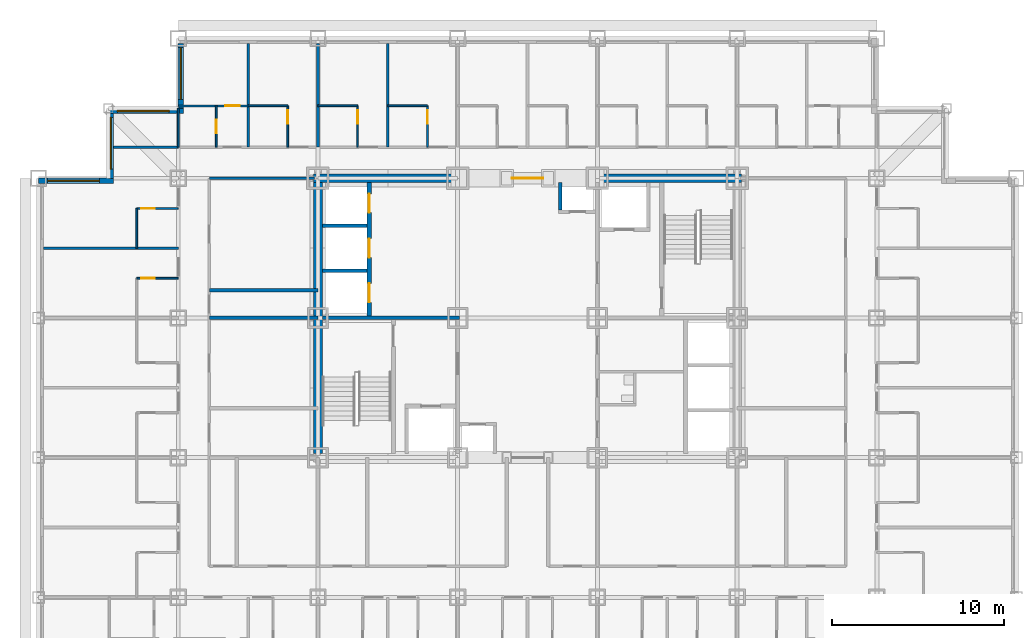
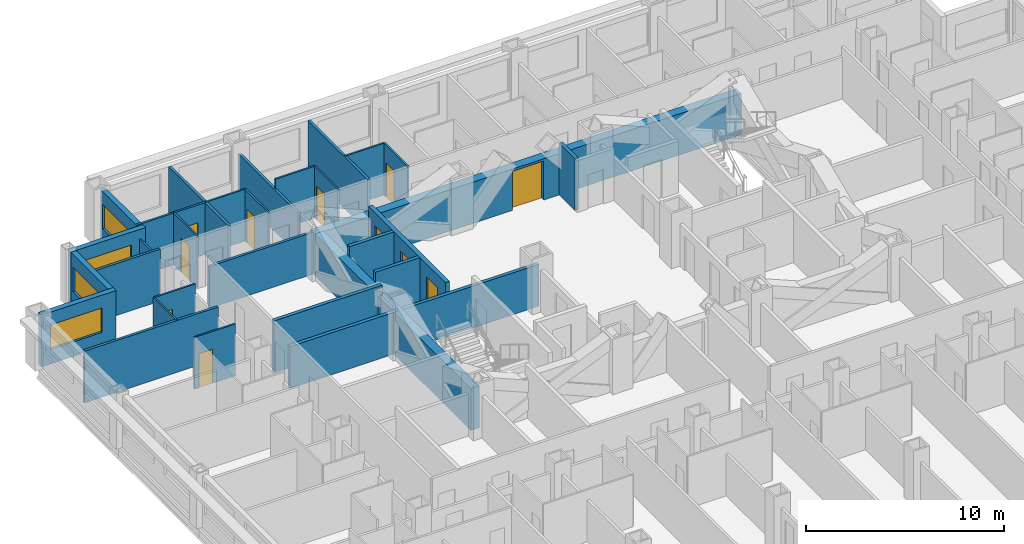
# One storey, part 8 of 13: 31 walls, 11 doors, 4 windows, 15 openings.
"""IFC4 building model written with IfcOpenShell, lengths in metres."""

import ifcopenshell
import ifcopenshell.guid

model = None  # the IFC model being written
_history = None  # IfcOwnerHistory: only IFC2X3 demands one
_inside = {}  # id of a spatial element -> (the spatial element, [elements in it])
_under = {}  # id of a project, library or spatial element -> (it, [spatial elements below it])
_declared = {}  # id of a project -> (the project, [libraries it declares])
_typed = {}  # id of a type object -> (the type object, [elements of that type])
_made_of = {}  # id of a material, layer set ... -> (it, [elements and type objects made of it])


def new_model(schema):
    """Start an empty IFC model of exactly this schema.

    Asked for "IFC4X3", IfcOpenShell would pick the latest addendum, in which some entities
    have other attributes; the version numbers below select the first issue.
    IFC2X3 requires an IfcOwnerHistory on every rooted entity: one is made here for all.
    """
    global model, _history
    if schema == "IFC4X3":
        model = ifcopenshell.file(schema_version=(4, 3, 0, 0))
    else:
        model = ifcopenshell.file(schema=schema)
    _inside.clear()
    _under.clear()
    _declared.clear()
    _typed.clear()
    _made_of.clear()
    _history = None
    if model.schema == "IFC2X3":
        org = make("IfcOrganization", Name="unknown")
        user = make(
            "IfcPersonAndOrganization",
            ThePerson=make("IfcPerson", FamilyName="unknown"),
            TheOrganization=org,
        )
        app = make(
            "IfcApplication",
            ApplicationDeveloper=org,
            Version="unknown",
            ApplicationFullName="unknown",
            ApplicationIdentifier="unknown",
        )
        _history = make(
            "IfcOwnerHistory",
            OwningUser=user,
            OwningApplication=app,
            ChangeAction="ADDED",
            CreationDate=0,
        )
    return model


def make(cls, **values):
    """One entity of the class cls with the attributes given. An attribute that is None is left unset."""
    return model.create_entity(
        cls, **{name: value for name, value in values.items() if value is not None}
    )


def rooted(cls, **values):
    """An entity with a GlobalId (a new one), such as an element, a storey or a relation."""
    return make(cls, GlobalId=ifcopenshell.guid.new(), OwnerHistory=_history, **values)


def si_unit(unit_type, name, prefix=None):
    """IfcSIUnit, for example si_unit("LENGTHUNIT", "METRE", prefix="MILLI")."""
    return make("IfcSIUnit", UnitType=unit_type, Prefix=prefix, Name=name)


def assignment(units):
    """IfcUnitAssignment: the units of a project."""
    return None if units is None else make("IfcUnitAssignment", Units=units)


def point(xyz):
    """IfcCartesianPoint."""
    return None if xyz is None else make("IfcCartesianPoint", Coordinates=xyz)


def direction(xyz):
    """IfcDirection."""
    return None if xyz is None else make("IfcDirection", DirectionRatios=xyz)


def frame(location, z_axis=None, x_axis=None):
    """IfcAxis2Placement3D, a coordinate frame: its origin and axes. An axis left out is left unset."""
    return make(
        "IfcAxis2Placement3D",
        Location=point(location),
        Axis=direction(z_axis),
        RefDirection=direction(x_axis),
    )


def frame_2d(location, x_axis=None):
    """IfcAxis2Placement2D, a coordinate frame in the plane: its origin and x axis."""
    return make(
        "IfcAxis2Placement2D", Location=point(location), RefDirection=direction(x_axis)
    )


def origin():
    """The frame at (0, 0, 0) with its axes left unset."""
    return frame((0.0, 0.0, 0.0))


def place(relative_to, where):
    """IfcLocalPlacement: puts the frame where relative to a parent placement (None: the world)."""
    return make(
        "IfcLocalPlacement", PlacementRelTo=relative_to, RelativePlacement=where
    )


def context(
    kind, dimensions, precision=None, world=None, true_north=None, identifier=None
):
    """IfcGeometricRepresentationContext, for example the 3D "Model" context."""
    return make(
        "IfcGeometricRepresentationContext",
        ContextIdentifier=identifier,
        ContextType=kind,
        CoordinateSpaceDimension=dimensions,
        Precision=precision,
        WorldCoordinateSystem=world,
        TrueNorth=true_north,
    )


def subcontext(parent, identifier, kind, view, scale=None):
    """IfcGeometricRepresentationSubContext, for example "Body" below "Model"."""
    return make(
        "IfcGeometricRepresentationSubContext",
        ContextIdentifier=identifier,
        ContextType=kind,
        ParentContext=parent,
        TargetScale=scale,
        TargetView=view,
    )


def project(units=None, contexts=None):
    """IfcProject with its units and contexts."""
    return rooted(
        "IfcProject",
        Name="project",
        RepresentationContexts=contexts,
        UnitsInContext=assignment(units),
    )


def spatial(cls, under=None, at=None, **own):
    """A site, building, storey or space (cls), placed at a placement, below another one or the project."""
    s = rooted(cls, ObjectPlacement=at, **own)
    if under is not None:
        _under.setdefault(under.id(), (under, []))[1].append(s)
    return s


def profile(cls, at=None, kind="AREA", **sizes):
    """A parametric profile (cls). Its sizes go by their IFC names, for example OverallWidth=200.0."""
    return make(cls, ProfileType=kind, Position=at, **sizes)


def rectangle(**sizes):
    """IfcRectangleProfileDef."""
    return profile("IfcRectangleProfileDef", **sizes)


def extrude(swept, where, along, depth):
    """IfcExtrudedAreaSolid: the profile swept, set in the frame where, extruded along a direction by depth."""
    return make(
        "IfcExtrudedAreaSolid",
        SweptArea=swept,
        Position=where,
        ExtrudedDirection=direction(along),
        Depth=depth,
    )


def shape(context_of_items, identifier, shape_type, items):
    """IfcShapeRepresentation: the items that make up one representation, for example the "Body"."""
    return make(
        "IfcShapeRepresentation",
        ContextOfItems=context_of_items,
        RepresentationIdentifier=identifier,
        RepresentationType=shape_type,
        Items=items,
    )


def material(Name=None, Category=None):
    """IfcMaterial."""
    return make("IfcMaterial", Name=Name, Category=Category)


def layer(
    of_material, thickness, ventilated=None, Name=None, Category=None, Priority=None
):
    """IfcMaterialLayer: one layer of a wall or slab, of a material (None: an air gap)."""
    return make(
        "IfcMaterialLayer",
        Material=of_material,
        LayerThickness=thickness,
        IsVentilated=ventilated,
        Name=Name,
        Category=Category,
        Priority=Priority,
    )


def layer_set(layers, Name=None):
    """IfcMaterialLayerSet."""
    return make("IfcMaterialLayerSet", MaterialLayers=layers, LayerSetName=Name)


def made_of(thing, what):
    """Note that an element or type object is made of a material, layer set ...; save() writes the relation."""
    if what is not None:
        _made_of.setdefault(what.id(), (what, []))[1].append(thing)
    return thing


def type_object(cls, material=None, **own):
    """A type object (cls), such as IfcWallType, which elements share."""
    return made_of(rooted(cls, **own), material)


def element(
    cls,
    number,
    at=None,
    inside=None,
    cuts=None,
    type_object=None,
    material=None,
    context=None,
    identifier="Body",
    shape_type=None,
    held_by="IfcProductDefinitionShape",
    body=None,
    shapes=None,
    **own,
):
    """One element of the class cls, such as IfcWall. Its Tag is "e" and its number.

    at: its placement. inside: the storey or other place that contains it. cuts: it is an
    opening in that element (IfcRelVoidsElement). A single representation is given by context,
    identifier, shape_type and body (its items); several are given by shapes. held_by: the class
    of the entity that holds the representations. save() writes the other relations.
    """
    e = rooted(cls, Tag="e%d" % number, ObjectPlacement=at, **own)
    if body is not None:
        shapes = [shape(context, identifier, shape_type, body)]
    if shapes is not None:
        e.Representation = make(held_by, Representations=shapes)
    if inside is not None:
        _inside.setdefault(inside.id(), (inside, []))[1].append(e)
    if cuts is not None:
        rooted(
            "IfcRelVoidsElement", RelatingBuildingElement=cuts, RelatedOpeningElement=e
        )
    if type_object is not None:
        _typed.setdefault(type_object.id(), (type_object, []))[1].append(e)
    return made_of(e, material)


def fill(opening, filler):
    """IfcRelFillsElement: the door or window that sits in an opening."""
    return rooted(
        "IfcRelFillsElement",
        RelatingOpeningElement=opening,
        RelatedBuildingElement=filler,
    )


def aggregate(whole, parts):
    """IfcRelAggregates: a whole, such as a stair, and the parts it consists of."""
    return rooted("IfcRelAggregates", RelatingObject=whole, RelatedObjects=parts)


def save(model, path):
    """Write the relations noted so far, then the file.

    IfcRelAggregates (storeys below a building ...), IfcRelContainedInSpatialStructure (elements
    in a storey), IfcRelDefinesByType, IfcRelAssociatesMaterial and IfcRelDeclares: one each for
    every whole, place, type object, material and project.
    """
    for whole, parts in _under.values():
        aggregate(whole, parts)
    for where, things in _inside.values():
        rooted(
            "IfcRelContainedInSpatialStructure",
            RelatedElements=things,
            RelatingStructure=where,
        )
    for kind, things in _typed.values():
        rooted("IfcRelDefinesByType", RelatedObjects=things, RelatingType=kind)
    for what, things in _made_of.values():
        rooted("IfcRelAssociatesMaterial", RelatedObjects=things, RelatingMaterial=what)
    for by, libraries in _declared.values():
        rooted("IfcRelDeclares", RelatingContext=by, RelatedDefinitions=libraries)
    model.write(path)


model = new_model("IFC4")

# Units and contexts
model_context = context("Model", 3, precision=1e-05, world=origin(), true_north=direction((0.0, 1.0)))
body_context = subcontext(model_context, "Body", "Model", "MODEL_VIEW")
ifc_project = project(units=[si_unit("LENGTHUNIT", "METRE"), si_unit("AREAUNIT", "SQUARE_METRE"), si_unit("VOLUMEUNIT", "CUBIC_METRE"), si_unit("PLANEANGLEUNIT", "RADIAN"), si_unit("MASSUNIT", "GRAM", prefix="KILO")], contexts=[model_context])

# Site, building, storey
site_placement = place(None, origin())
site = spatial("IfcSite", under=ifc_project, at=site_placement, CompositionType="ELEMENT")
building_placement = place(site_placement, origin())
building = spatial("IfcBuilding", under=site, at=building_placement, Name="Kopane Lantern Tower", CompositionType="ELEMENT")
storey_placement = place(building_placement, frame((0.0, 0.0, 50.0)))
storey = spatial("IfcBuildingStorey", under=building, at=storey_placement, Name="L11", CompositionType="ELEMENT", Elevation=50.0)

# Wall, opening, door
ifc_material_1 = material(Name="Gypsum board on steel studs", Category="steel")
ifc_layer_1 = layer(ifc_material_1, 0.1201171875)
ifc_layer_set_1 = layer_set([ifc_layer_1], Name="APARTMENT INTERNAL WALL 120")
wall_type_1 = type_object("IfcWallType", Name="APARTMENT INTERNAL WALL 120", PredefinedType="PARTITIONING", material=ifc_layer_set_1)
wall_1_placement = place(storey_placement, frame((8.10009765625, 44.699951171875, 0.0), z_axis=(0.0, 0.0, 1.0), x_axis=(1.0, 0.0, 0.0)))
wall_1 = element("IfcWall", 1, at=wall_1_placement, inside=storey, type_object=wall_type_1, Name="Apartment Internal Wall 120 L11", PredefinedType="PARTITIONING", context=body_context, shape_type="SweptSolid", body=[
    extrude(rectangle(XDim=4.0498046875, YDim=0.1201171875, at=frame_2d((2.02490234375, 0.0))), origin(), (0.0, 0.0, 1.0), 3.18994140625),
])
opening_1_placement = place(wall_1_placement, frame((2.72509765625, 0.0, 0.0)))
opening_1 = element("IfcOpeningElement", 2, at=opening_1_placement, cuts=wall_1, Name="Opening L11-088", PredefinedType="OPENING", context=body_context, shape_type="SweptSolid", body=[
    extrude(rectangle(XDim=0.85009765625, YDim=2.10009765625, at=frame_2d((0.425048828125, 1.050048828125))), frame((0.0, 0.070068359375, 0.0), z_axis=(0.0, -1.0, 0.0), x_axis=(1.0, 0.0, 0.0)), (0.0, 0.0, 1.0), 0.14013671875),
])
ifc_material_2 = material(Name="Timber door set", Category="wood")
door_type_1 = type_object("IfcDoorType", Name="DOOR D4 850x2100", OperationType="SINGLE_SWING_LEFT", PredefinedType="DOOR", material=ifc_material_2)
door_1_placement = place(opening_1_placement, origin())
door_1 = element("IfcDoor", 3, at=door_1_placement, inside=storey, type_object=door_type_1, Name="Door L11-088", OperationType="SINGLE_SWING_LEFT", OverallHeight=2.10009765625, OverallWidth=0.85009765625, PredefinedType="DOOR", context=body_context, shape_type="SweptSolid", body=[
    extrude(rectangle(XDim=0.85009765625, YDim=2.10009765625, at=frame_2d((0.425048828125, 1.050048828125))), frame((0.0, 0.02490234375, 0.0), z_axis=(0.0, -1.0, 0.0), x_axis=(1.0, 0.0, 0.0)), (0.0, 0.0, 1.0), 0.050048828125),
])
fill(opening_1, door_1)

# Wall
ifc_material_3 = material(Name="Moisture-resistant board on steel studs", Category="steel")
ifc_layer_2 = layer(ifc_material_3, 0.10009765625)
ifc_layer_set_2 = layer_set([ifc_layer_2], Name="BATHROOM WALL 100")
wall_type_2 = type_object("IfcWallType", Name="BATHROOM WALL 100", PredefinedType="PARTITIONING", material=ifc_layer_set_2)
wall_2_placement = place(storey_placement, frame((12.14990234375, 44.699951171875, 0.0), z_axis=(0.0, 0.0, 1.0), x_axis=(1.0, 0.0, 0.0)))
element("IfcWall", 4, at=wall_2_placement, inside=storey, type_object=wall_type_2, Name="Bathroom Wall 100 L11", PredefinedType="PARTITIONING", context=body_context, shape_type="SweptSolid", body=[
    extrude(rectangle(XDim=2.300048828125, YDim=0.10009765625, at=frame_2d((1.14990234375, 0.0))), origin(), (0.0, 0.0, 1.0), 3.18994140625),
])

# Wall, opening, door
wall_3_placement = place(storey_placement, frame((14.449951171875, 42.300048828125, 0.0), z_axis=(0.0, 0.0, 1.0), x_axis=(0.0, 1.0, 0.0)))
wall_3 = element("IfcWall", 5, at=wall_3_placement, inside=storey, type_object=wall_type_2, Name="Bathroom Wall 100 L11", PredefinedType="PARTITIONING", context=body_context, shape_type="SweptSolid", body=[
    extrude(rectangle(XDim=2.39990234375, YDim=0.10009765625, at=frame_2d((1.199951171875, 0.0))), origin(), (0.0, 0.0, 1.0), 3.18994140625),
])
opening_2_placement = place(wall_3_placement, frame((1.35009765625, 0.0, 0.0)))
opening_2 = element("IfcOpeningElement", 6, at=opening_2_placement, cuts=wall_3, Name="Opening L11-033", PredefinedType="OPENING", context=body_context, shape_type="SweptSolid", body=[
    extrude(rectangle(XDim=0.800048828125, YDim=2.10009765625, at=frame_2d((0.39990234375, 1.050048828125))), frame((0.0, 0.06005859375, 0.0), z_axis=(0.0, -1.0, 0.0), x_axis=(1.0, 0.0, 0.0)), (0.0, 0.0, 1.0), 0.1201171875),
])
ifc_material_4 = material(Name="Timber door set", Category="wood")
door_type_2 = type_object("IfcDoorType", Name="DOOR D2 800x2100", OperationType="SINGLE_SWING_LEFT", PredefinedType="DOOR", material=ifc_material_4)
door_2_placement = place(opening_2_placement, origin())
door_2 = element("IfcDoor", 7, at=door_2_placement, inside=storey, type_object=door_type_2, Name="Door L11-033", OperationType="SINGLE_SWING_RIGHT", OverallHeight=2.10009765625, OverallWidth=0.800048828125, PredefinedType="DOOR", context=body_context, shape_type="SweptSolid", body=[
    extrude(rectangle(XDim=0.800048828125, YDim=2.10009765625, at=frame_2d((0.39990234375, 1.050048828125))), frame((0.0, 0.02490234375, 0.0), z_axis=(0.0, -1.0, 0.0), x_axis=(1.0, 0.0, 0.0)), (0.0, 0.0, 1.0), 0.050048828125),
])
fill(opening_2, door_2)

# Wall
wall_4_placement = place(storey_placement, frame((16.199951171875, 44.699951171875, 0.0), z_axis=(0.0, 0.0, 1.0), x_axis=(1.0, 0.0, 0.0)))
element("IfcWall", 8, at=wall_4_placement, inside=storey, type_object=wall_type_2, Name="Bathroom Wall 100 L11", PredefinedType="PARTITIONING", context=body_context, shape_type="SweptSolid", body=[
    extrude(rectangle(XDim=2.300048828125, YDim=0.10009765625, at=frame_2d((1.14990234375, 0.0))), origin(), (0.0, 0.0, 1.0), 3.18994140625),
])

# Wall, opening, door
wall_5_placement = place(storey_placement, frame((18.5, 42.300048828125, 0.0), z_axis=(0.0, 0.0, 1.0), x_axis=(0.0, 1.0, 0.0)))
wall_5 = element("IfcWall", 9, at=wall_5_placement, inside=storey, type_object=wall_type_2, Name="Bathroom Wall 100 L11", PredefinedType="PARTITIONING", context=body_context, shape_type="SweptSolid", body=[
    extrude(rectangle(XDim=2.39990234375, YDim=0.10009765625, at=frame_2d((1.199951171875, 0.0))), origin(), (0.0, 0.0, 1.0), 3.18994140625),
])
opening_3_placement = place(wall_5_placement, frame((1.35009765625, 0.0, 0.0)))
opening_3 = element("IfcOpeningElement", 10, at=opening_3_placement, cuts=wall_5, Name="Opening L11-035", PredefinedType="OPENING", context=body_context, shape_type="SweptSolid", body=[
    extrude(rectangle(XDim=0.800048828125, YDim=2.10009765625, at=frame_2d((0.39990234375, 1.050048828125))), frame((0.0, 0.06005859375, 0.0), z_axis=(0.0, -1.0, 0.0), x_axis=(1.0, 0.0, 0.0)), (0.0, 0.0, 1.0), 0.1201171875),
])
door_3_placement = place(opening_3_placement, origin())
door_3 = element("IfcDoor", 11, at=door_3_placement, inside=storey, type_object=door_type_2, Name="Door L11-035", OperationType="SINGLE_SWING_RIGHT", OverallHeight=2.10009765625, OverallWidth=0.800048828125, PredefinedType="DOOR", context=body_context, shape_type="SweptSolid", body=[
    extrude(rectangle(XDim=0.800048828125, YDim=2.10009765625, at=frame_2d((0.39990234375, 1.050048828125))), frame((0.0, 0.02490234375, 0.0), z_axis=(0.0, -1.0, 0.0), x_axis=(1.0, 0.0, 0.0)), (0.0, 0.0, 1.0), 0.050048828125),
])
fill(opening_3, door_3)

# Wall
wall_6_placement = place(storey_placement, frame((20.25, 44.699951171875, 0.0), z_axis=(0.0, 0.0, 1.0), x_axis=(1.0, 0.0, 0.0)))
element("IfcWall", 12, at=wall_6_placement, inside=storey, type_object=wall_type_2, Name="Bathroom Wall 100 L11", PredefinedType="PARTITIONING", context=body_context, shape_type="SweptSolid", body=[
    extrude(rectangle(XDim=2.300048828125, YDim=0.10009765625, at=frame_2d((1.14990234375, 0.0))), origin(), (0.0, 0.0, 1.0), 3.18994140625),
])

# Wall, opening, door
wall_7_placement = place(storey_placement, frame((22.550048828125, 42.300048828125, 0.0), z_axis=(0.0, 0.0, 1.0), x_axis=(0.0, 1.0, 0.0)))
wall_7 = element("IfcWall", 13, at=wall_7_placement, inside=storey, type_object=wall_type_2, Name="Bathroom Wall 100 L11", PredefinedType="PARTITIONING", context=body_context, shape_type="SweptSolid", body=[
    extrude(rectangle(XDim=2.39990234375, YDim=0.10009765625, at=frame_2d((1.199951171875, 0.0))), origin(), (0.0, 0.0, 1.0), 3.18994140625),
])
opening_4_placement = place(wall_7_placement, frame((1.35009765625, 0.0, 0.0)))
opening_4 = element("IfcOpeningElement", 14, at=opening_4_placement, cuts=wall_7, Name="Opening L11-037", PredefinedType="OPENING", context=body_context, shape_type="SweptSolid", body=[
    extrude(rectangle(XDim=0.800048828125, YDim=2.10009765625, at=frame_2d((0.39990234375, 1.050048828125))), frame((0.0, 0.06005859375, 0.0), z_axis=(0.0, -1.0, 0.0), x_axis=(1.0, 0.0, 0.0)), (0.0, 0.0, 1.0), 0.1201171875),
])
door_4_placement = place(opening_4_placement, origin())
door_4 = element("IfcDoor", 15, at=door_4_placement, inside=storey, type_object=door_type_2, Name="Door L11-037", OperationType="SINGLE_SWING_RIGHT", OverallHeight=2.10009765625, OverallWidth=0.800048828125, PredefinedType="DOOR", context=body_context, shape_type="SweptSolid", body=[
    extrude(rectangle(XDim=0.800048828125, YDim=2.10009765625, at=frame_2d((0.39990234375, 1.050048828125))), frame((0.0, 0.02490234375, 0.0), z_axis=(0.0, -1.0, 0.0), x_axis=(1.0, 0.0, 0.0)), (0.0, 0.0, 1.0), 0.050048828125),
])
fill(opening_4, door_4)

wall_8_placement = place(storey_placement, frame((8.10009765625, 34.699951171875, 0.0), z_axis=(0.0, 0.0, 1.0), x_axis=(-1.0, 0.0, 0.0)))
wall_8 = element("IfcWall", 16, at=wall_8_placement, inside=storey, type_object=wall_type_2, Name="Bathroom Wall 100 L11", PredefinedType="PARTITIONING", context=body_context, shape_type="SweptSolid", body=[
    extrude(rectangle(XDim=2.400146484375, YDim=0.10009765625, at=frame_2d((1.2001953125, 0.0))), origin(), (0.0, 0.0, 1.0), 3.18994140625),
])
opening_5_placement = place(wall_8_placement, frame((1.35009765625, 0.0, 0.0)))
opening_5 = element("IfcOpeningElement", 17, at=opening_5_placement, cuts=wall_8, Name="Opening L11-057", PredefinedType="OPENING", context=body_context, shape_type="SweptSolid", body=[
    extrude(rectangle(XDim=0.800048828125, YDim=2.10009765625, at=frame_2d((0.39990234375, 1.050048828125))), frame((0.0, 0.06005859375, 0.0), z_axis=(0.0, -1.0, 0.0), x_axis=(1.0, 0.0, 0.0)), (0.0, 0.0, 1.0), 0.1201171875),
])
door_5_placement = place(opening_5_placement, origin())
door_5 = element("IfcDoor", 18, at=door_5_placement, inside=storey, type_object=door_type_2, Name="Door L11-057", OperationType="SINGLE_SWING_RIGHT", OverallHeight=2.10009765625, OverallWidth=0.800048828125, PredefinedType="DOOR", context=body_context, shape_type="SweptSolid", body=[
    extrude(rectangle(XDim=0.800048828125, YDim=2.10009765625, at=frame_2d((0.39990234375, 1.050048828125))), frame((0.0, 0.02490234375, 0.0), z_axis=(0.0, -1.0, 0.0), x_axis=(1.0, 0.0, 0.0)), (0.0, 0.0, 1.0), 0.050048828125),
])
fill(opening_5, door_5)

# Wall
wall_9_placement = place(storey_placement, frame((5.699951171875, 36.449951171875, 0.0), z_axis=(0.0, 0.0, 1.0), x_axis=(0.0, 1.0, 0.0)))
element("IfcWall", 19, at=wall_9_placement, inside=storey, type_object=wall_type_2, Name="Bathroom Wall 100 L11", PredefinedType="PARTITIONING", context=body_context, shape_type="SweptSolid", body=[
    extrude(rectangle(XDim=2.300048828125, YDim=0.10009765625, at=frame_2d((1.14990234375, 0.0))), origin(), (0.0, 0.0, 1.0), 3.18994140625),
])

# Wall, opening, door
wall_10_placement = place(storey_placement, frame((8.10009765625, 38.75, 0.0), z_axis=(0.0, 0.0, 1.0), x_axis=(-1.0, 0.0, 0.0)))
wall_10 = element("IfcWall", 20, at=wall_10_placement, inside=storey, type_object=wall_type_2, Name="Bathroom Wall 100 L11", PredefinedType="PARTITIONING", context=body_context, shape_type="SweptSolid", body=[
    extrude(rectangle(XDim=2.400146484375, YDim=0.10009765625, at=frame_2d((1.2001953125, 0.0))), origin(), (0.0, 0.0, 1.0), 3.18994140625),
])
opening_6_placement = place(wall_10_placement, frame((1.35009765625, 0.0, 0.0)))
opening_6 = element("IfcOpeningElement", 21, at=opening_6_placement, cuts=wall_10, Name="Opening L11-059", PredefinedType="OPENING", context=body_context, shape_type="SweptSolid", body=[
    extrude(rectangle(XDim=0.800048828125, YDim=2.10009765625, at=frame_2d((0.39990234375, 1.050048828125))), frame((0.0, 0.06005859375, 0.0), z_axis=(0.0, -1.0, 0.0), x_axis=(1.0, 0.0, 0.0)), (0.0, 0.0, 1.0), 0.1201171875),
])
door_6_placement = place(opening_6_placement, origin())
door_6 = element("IfcDoor", 22, at=door_6_placement, inside=storey, type_object=door_type_2, Name="Door L11-059", OperationType="SINGLE_SWING_RIGHT", OverallHeight=2.10009765625, OverallWidth=0.800048828125, PredefinedType="DOOR", context=body_context, shape_type="SweptSolid", body=[
    extrude(rectangle(XDim=0.800048828125, YDim=2.10009765625, at=frame_2d((0.39990234375, 1.050048828125))), frame((0.0, 0.02490234375, 0.0), z_axis=(0.0, -1.0, 0.0), x_axis=(1.0, 0.0, 0.0)), (0.0, 0.0, 1.0), 0.050048828125),
])
fill(opening_6, door_6)

wall_11_placement = place(storey_placement, frame((10.300048828125, 42.300048828125, 0.0), z_axis=(0.0, 0.0, 1.0), x_axis=(0.0, 1.0, 0.0)))
wall_11 = element("IfcWall", 23, at=wall_11_placement, inside=storey, type_object=wall_type_2, Name="Bathroom Wall 100 L11", PredefinedType="PARTITIONING", context=body_context, shape_type="SweptSolid", body=[
    extrude(rectangle(XDim=2.39990234375, YDim=0.10009765625, at=frame_2d((1.199951171875, 0.0))), origin(), (0.0, 0.0, 1.0), 3.18994140625),
])
opening_7_placement = place(wall_11_placement, frame((0.800048828125, 0.0, 0.0)))
opening_7 = element("IfcOpeningElement", 24, at=opening_7_placement, cuts=wall_11, Name="Opening L11-086", PredefinedType="OPENING", context=body_context, shape_type="SweptSolid", body=[
    extrude(rectangle(XDim=0.800048828125, YDim=2.10009765625, at=frame_2d((0.39990234375, 1.050048828125))), frame((0.0, 0.06005859375, 0.0), z_axis=(0.0, -1.0, 0.0), x_axis=(1.0, 0.0, 0.0)), (0.0, 0.0, 1.0), 0.1201171875),
])
door_7_placement = place(opening_7_placement, origin())
door_7 = element("IfcDoor", 25, at=door_7_placement, inside=storey, type_object=door_type_2, Name="Door L11-086", OperationType="SINGLE_SWING_LEFT", OverallHeight=2.10009765625, OverallWidth=0.800048828125, PredefinedType="DOOR", context=body_context, shape_type="SweptSolid", body=[
    extrude(rectangle(XDim=0.800048828125, YDim=2.10009765625, at=frame_2d((0.39990234375, 1.050048828125))), frame((0.0, 0.02490234375, 0.0), z_axis=(0.0, -1.0, 0.0), x_axis=(1.0, 0.0, 0.0)), (0.0, 0.0, 1.0), 0.050048828125),
])
fill(opening_7, door_7)

# Wall
wall_12_placement = place(storey_placement, frame((8.10009765625, 42.300048828125, 0.0), z_axis=(0.0, 0.0, 1.0), x_axis=(0.0, 1.0, 0.0)))
element("IfcWall", 26, at=wall_12_placement, inside=storey, type_object=wall_type_2, Name="Bathroom Wall 100 L11", PredefinedType="PARTITIONING", context=body_context, shape_type="SweptSolid", body=[
    extrude(rectangle(XDim=2.25, YDim=0.10009765625, at=frame_2d((1.125, 0.0))), origin(), (0.0, 0.0, 1.0), 2.577880859375),
])

# Wall, opening, door
ifc_material_5 = material(Name="Gypsum shaft wall EI 120", Category="gypsum")
ifc_layer_3 = layer(ifc_material_5, 0.5)
ifc_layer_set_3 = layer_set([ifc_layer_3], Name="CORE PERIMETER WALL 500 EI 120")
wall_type_3 = type_object("IfcWallType", Name="CORE PERIMETER WALL 500 EI 120", PredefinedType="SOLIDWALL", material=ifc_layer_set_3)
wall_13_placement = place(storey_placement, frame((15.949951171875, 40.5, 0.0), z_axis=(0.0, 0.0, 1.0), x_axis=(1.0, 0.0, 0.0)))
wall_13 = element("IfcWall", 27, at=wall_13_placement, inside=storey, type_object=wall_type_3, Name="Core shaft wall L11 PN", PredefinedType="SOLIDWALL", context=body_context, shape_type="SweptSolid", body=[
    extrude(rectangle(XDim=24.800048828125, YDim=0.5, at=frame_2d((12.39990234375, 0.0))), origin(), (0.0, 0.0, 1.0), 2.5400390625),
])
opening_8_placement = place(wall_13_placement, frame((11.5, 0.0, 0.0)))
opening_8 = element("IfcOpeningElement", 28, at=opening_8_placement, cuts=wall_13, Name="Opening 11.CE-N", PredefinedType="OPENING", context=body_context, shape_type="SweptSolid", body=[
    extrude(rectangle(XDim=1.800048828125, YDim=2.39990234375, at=frame_2d((0.89990234375, 1.199951171875))), frame((0.0, 0.260009765625, 0.0), z_axis=(0.0, -1.0, 0.0), x_axis=(1.0, 0.0, 0.0)), (0.0, 0.0, 1.0), 0.52001953125),
])
ifc_material_6 = material(Name="Steel door set", Category="steel")
door_type_3 = type_object("IfcDoorType", Name="CORE ENTRY DOOR 1800x2400 FD60S", OperationType="DOUBLE_DOOR_SINGLE_SWING", PredefinedType="DOOR", material=ifc_material_6)
door_8_placement = place(opening_8_placement, origin())
door_8 = element("IfcDoor", 29, at=door_8_placement, inside=storey, type_object=door_type_3, Name="Core entry door L11 north", OperationType="DOUBLE_DOOR_SINGLE_SWING", OverallHeight=2.39990234375, OverallWidth=1.800048828125, PredefinedType="DOOR", context=body_context, shape_type="SweptSolid", body=[
    extrude(rectangle(XDim=1.800048828125, YDim=2.39990234375, at=frame_2d((0.89990234375, 1.199951171875))), frame((0.0, 0.02490234375, 0.0), z_axis=(0.0, -1.0, 0.0), x_axis=(1.0, 0.0, 0.0)), (0.0, 0.0, 1.0), 0.050048828125),
])
fill(opening_8, door_8)

# Wall
wall_14_placement = place(storey_placement, frame((16.199951171875, 24.550048828125, 0.0), z_axis=(0.0, 0.0, 1.0), x_axis=(0.0, 1.0, 0.0)))
element("IfcWall", 30, at=wall_14_placement, inside=storey, type_object=wall_type_3, Name="Core shaft wall L11 PW", PredefinedType="SOLIDWALL", context=body_context, shape_type="SweptSolid", body=[
    extrude(rectangle(XDim=15.699951171875, YDim=0.5, at=frame_2d((7.85009765625, 0.0))), origin(), (0.0, 0.0, 1.0), 2.577880859375),
])

# Wall, openings, doors
ifc_material_7 = material(Name="Gypsum shaft wall EI 120", Category="gypsum")
ifc_layer_4 = layer(ifc_material_7, 0.25)
ifc_layer_set_4 = layer_set([ifc_layer_4], Name="CORE SHAFT WALL 250 EI 120")
wall_type_4 = type_object("IfcWallType", Name="CORE SHAFT WALL 250 EI 120", PredefinedType="SOLIDWALL", material=ifc_layer_set_4)
wall_15_placement = place(storey_placement, frame((19.175048828125, 32.5, 0.0), z_axis=(0.0, 0.0, 1.0), x_axis=(0.0, 1.0, 0.0)))
wall_15 = element("IfcWall", 31, at=wall_15_placement, inside=storey, type_object=wall_type_4, Name="Core shaft wall L11 XLH", PredefinedType="SOLIDWALL", context=body_context, shape_type="SweptSolid", body=[
    extrude(rectangle(XDim=7.75, YDim=0.25, at=frame_2d((3.875, 0.0))), origin(), (0.0, 0.0, 1.0), 3.18994140625),
])
opening_9_placement = place(wall_15_placement, frame((0.800048828125, 0.0, 0.0)))
opening_9 = element("IfcOpeningElement", 32, at=opening_9_placement, cuts=wall_15, Name="Opening 11.LD-LH1", PredefinedType="OPENING", context=body_context, shape_type="SweptSolid", body=[
    extrude(rectangle(XDim=1.10009765625, YDim=2.39990234375, at=frame_2d((0.550048828125, 1.199951171875))), frame((0.0, 0.135009765625, 0.0), z_axis=(0.0, -1.0, 0.0), x_axis=(1.0, 0.0, 0.0)), (0.0, 0.0, 1.0), 0.27001953125),
])
opening_10_placement = place(wall_15_placement, frame((3.39990234375, 0.0, 0.0)))
opening_10 = element("IfcOpeningElement", 33, at=opening_10_placement, cuts=wall_15, Name="Opening 11.LD-LH2", PredefinedType="OPENING", context=body_context, shape_type="SweptSolid", body=[
    extrude(rectangle(XDim=1.10009765625, YDim=2.39990234375, at=frame_2d((0.550048828125, 1.199951171875))), frame((0.0, 0.135009765625, 0.0), z_axis=(0.0, -1.0, 0.0), x_axis=(1.0, 0.0, 0.0)), (0.0, 0.0, 1.0), 0.27001953125),
])
opening_11_placement = place(wall_15_placement, frame((6.0, 0.0, 0.0)))
opening_11 = element("IfcOpeningElement", 34, at=opening_11_placement, cuts=wall_15, Name="Opening 11.LD-LH3", PredefinedType="OPENING", context=body_context, shape_type="SweptSolid", body=[
    extrude(rectangle(XDim=1.10009765625, YDim=2.39990234375, at=frame_2d((0.550048828125, 1.199951171875))), frame((0.0, 0.135009765625, 0.0), z_axis=(0.0, -1.0, 0.0), x_axis=(1.0, 0.0, 0.0)), (0.0, 0.0, 1.0), 0.27001953125),
])
ifc_material_8 = material(Name="Steel door set", Category="steel")
door_type_4 = type_object("IfcDoorType", Name="LIFT LANDING DOOR 1100x2400 FD60", OperationType="DOUBLE_DOOR_SLIDING", PredefinedType="DOOR", material=ifc_material_8)
door_9_placement = place(opening_9_placement, origin())
door_9 = element("IfcDoor", 35, at=door_9_placement, inside=storey, type_object=door_type_4, Name="Landing door LH1 L11", OperationType="DOUBLE_DOOR_SLIDING", OverallHeight=2.39990234375, OverallWidth=1.10009765625, PredefinedType="DOOR", context=body_context, shape_type="SweptSolid", body=[
    extrude(rectangle(XDim=1.10009765625, YDim=2.39990234375, at=frame_2d((0.550048828125, 1.199951171875))), frame((0.0, 0.02490234375, 0.0), z_axis=(0.0, -1.0, 0.0), x_axis=(1.0, 0.0, 0.0)), (0.0, 0.0, 1.0), 0.050048828125),
])
fill(opening_9, door_9)
door_10_placement = place(opening_10_placement, origin())
door_10 = element("IfcDoor", 36, at=door_10_placement, inside=storey, type_object=door_type_4, Name="Landing door LH2 L11", OperationType="DOUBLE_DOOR_SLIDING", OverallHeight=2.39990234375, OverallWidth=1.10009765625, PredefinedType="DOOR", context=body_context, shape_type="SweptSolid", body=[
    extrude(rectangle(XDim=1.10009765625, YDim=2.39990234375, at=frame_2d((0.550048828125, 1.199951171875))), frame((0.0, 0.02490234375, 0.0), z_axis=(0.0, -1.0, 0.0), x_axis=(1.0, 0.0, 0.0)), (0.0, 0.0, 1.0), 0.050048828125),
])
fill(opening_10, door_10)
door_11_placement = place(opening_11_placement, origin())
door_11 = element("IfcDoor", 37, at=door_11_placement, inside=storey, type_object=door_type_4, Name="Landing door LH3 L11", OperationType="DOUBLE_DOOR_SLIDING", OverallHeight=2.39990234375, OverallWidth=1.10009765625, PredefinedType="DOOR", context=body_context, shape_type="SweptSolid", body=[
    extrude(rectangle(XDim=1.10009765625, YDim=2.39990234375, at=frame_2d((0.550048828125, 1.199951171875))), frame((0.0, 0.02490234375, 0.0), z_axis=(0.0, -1.0, 0.0), x_axis=(1.0, 0.0, 0.0)), (0.0, 0.0, 1.0), 0.050048828125),
])
fill(opening_11, door_11)

# Walls
ifc_material_9 = material(Name="Gypsum board on steel studs", Category="steel")
ifc_layer_5 = layer(ifc_material_9, 0.14990234375)
ifc_layer_set_5 = layer_set([ifc_layer_5], Name="CORRIDOR WALL 150 EI 60")
wall_type_5 = type_object("IfcWallType", Name="CORRIDOR WALL 150 EI 60", PredefinedType="PARTITIONING", material=ifc_layer_set_5)
wall_16_placement = place(storey_placement, frame((16.0, 40.5, 0.0), z_axis=(0.0, 0.0, 1.0), x_axis=(-1.0, 0.0, 0.0)))
element("IfcWall", 38, at=wall_16_placement, inside=storey, type_object=wall_type_5, Name="Corridor Wall 150 Ei 60 L11", PredefinedType="PARTITIONING", context=body_context, shape_type="SweptSolid", body=[
    extrude(rectangle(XDim=6.10009765625, YDim=0.14990234375, at=frame_2d((3.050048828125, 0.0))), origin(), (0.0, 0.0, 1.0), 2.577880859375),
])
ifc_material_10 = material(Name="Gypsum board on steel studs", Category="steel")
ifc_layer_6 = layer(ifc_material_10, 0.14990234375)
ifc_layer_set_6 = layer_set([ifc_layer_6], Name="DEMISING WALL 150 EI 60")
wall_type_6 = type_object("IfcWallType", Name="DEMISING WALL 150 EI 60", PredefinedType="PARTITIONING", material=ifc_layer_set_6)
wall_17_placement = place(storey_placement, frame((16.199951171875, 42.300048828125, 0.0), z_axis=(0.0, 0.0, 1.0), x_axis=(0.0, 1.0, 0.0)))
element("IfcWall", 39, at=wall_17_placement, inside=storey, type_object=wall_type_6, Name="Demising Wall 150 Ei 60 L11", PredefinedType="PARTITIONING", context=body_context, shape_type="SweptSolid", body=[
    extrude(rectangle(XDim=6.0, YDim=0.14990234375, at=frame_2d((3.0, 0.0))), origin(), (0.0, 0.0, 1.0), 2.577880859375),
])
wall_18_placement = place(storey_placement, frame((20.25, 42.300048828125, 0.0), z_axis=(0.0, 0.0, 1.0), x_axis=(0.0, 1.0, 0.0)))
element("IfcWall", 40, at=wall_18_placement, inside=storey, type_object=wall_type_6, Name="Demising Wall 150 Ei 60 L11", PredefinedType="PARTITIONING", context=body_context, shape_type="SweptSolid", body=[
    extrude(rectangle(XDim=6.0, YDim=0.14990234375, at=frame_2d((3.0, 0.0))), origin(), (0.0, 0.0, 1.0), 3.18994140625),
])
wall_19_placement = place(storey_placement, frame((8.10009765625, 36.449951171875, 0.0), z_axis=(0.0, 0.0, 1.0), x_axis=(-1.0, 0.0, 0.0)))
element("IfcWall", 41, at=wall_19_placement, inside=storey, type_object=wall_type_6, Name="Demising Wall 150 Ei 60 L11", PredefinedType="PARTITIONING", context=body_context, shape_type="SweptSolid", body=[
    extrude(rectangle(XDim=7.800048828125, YDim=0.14990234375, at=frame_2d((3.89990234375, 0.0))), origin(), (0.0, 0.0, 1.0), 3.18994140625),
])
wall_20_placement = place(storey_placement, frame((4.35009765625, 42.300048828125, 0.0), z_axis=(0.0, 0.0, 1.0), x_axis=(1.0, 0.0, 0.0)))
element("IfcWall", 42, at=wall_20_placement, inside=storey, type_object=wall_type_6, Name="Demising Wall 150 Ei 60 L11", PredefinedType="PARTITIONING", context=body_context, shape_type="SweptSolid", body=[
    extrude(rectangle(XDim=3.75, YDim=0.14990234375, at=frame_2d((1.875, 0.0))), origin(), (0.0, 0.0, 1.0), 3.18994140625),
])
wall_21_placement = place(storey_placement, frame((12.14990234375, 42.300048828125, 0.0), z_axis=(0.0, 0.0, 1.0), x_axis=(0.0, 1.0, 0.0)))
element("IfcWall", 43, at=wall_21_placement, inside=storey, type_object=wall_type_6, Name="Demising Wall 150 Ei 60 L11", PredefinedType="PARTITIONING", context=body_context, shape_type="SweptSolid", body=[
    extrude(rectangle(XDim=6.0, YDim=0.14990234375, at=frame_2d((3.0, 0.0))), origin(), (0.0, 0.0, 1.0), 3.18994140625),
])

# Wall, opening, window
ifc_material_11 = material(Name="Terracotta rainscreen on light steel framing", Category="masonry")
ifc_layer_7 = layer(ifc_material_11, 0.300048828125)
ifc_layer_set_7 = layer_set([ifc_layer_7], Name="EXTERNAL WALL EW1 300 TERRACOTTA")
wall_type_7 = type_object("IfcWallType", Name="EXTERNAL WALL EW1 300 TERRACOTTA", PredefinedType="SOLIDWALL", material=ifc_layer_set_7)
wall_22_placement = place(storey_placement, frame((8.25, 48.300048828125, 0.0), z_axis=(0.0, 0.0, 1.0), x_axis=(0.0, -1.0, 0.0)))
wall_22 = element("IfcWall", 44, at=wall_22_placement, inside=storey, type_object=wall_type_7, Name="External wall W L11", PredefinedType="SOLIDWALL", context=body_context, shape_type="SweptSolid", body=[
    extrude(rectangle(XDim=3.75, YDim=0.300048828125, at=frame_2d((1.875, 0.0))), origin(), (0.0, 0.0, 1.0), 3.18994140625),
])
opening_12_placement = place(wall_22_placement, frame((0.22509765625, 0.0, 0.89990234375)))
opening_12 = element("IfcOpeningElement", 45, at=opening_12_placement, cuts=wall_22, Name="Opening WR300150", PredefinedType="OPENING", context=body_context, shape_type="SweptSolid", body=[
    extrude(rectangle(XDim=3.0, YDim=1.5, at=frame_2d((1.5, 0.75))), frame((0.0, 0.159912109375, 0.0), z_axis=(0.0, -1.0, 0.0), x_axis=(1.0, 0.0, 0.0)), (0.0, 0.0, 1.0), 0.320068359375),
])
ifc_material_12 = material(Name="Aluminium and clear glass", Category="aluminium")
window_type = type_object("IfcWindowType", Name="RIBBON WINDOW WR300150 3000x1500", PartitioningType="SINGLE_PANEL", PredefinedType="WINDOW", material=ifc_material_12)
window_1_placement = place(opening_12_placement, origin())
window_1 = element("IfcWindow", 46, at=window_1_placement, inside=storey, type_object=window_type, Name="Window W L11", OverallHeight=1.5, OverallWidth=3.0, PartitioningType="SINGLE_PANEL", PredefinedType="WINDOW", context=body_context, shape_type="SweptSolid", body=[
    extrude(rectangle(XDim=3.0, YDim=1.5, at=frame_2d((1.5, 0.75))), frame((0.0, 0.030029296875, 0.0), z_axis=(0.0, -1.0, 0.0), x_axis=(1.0, 0.0, 0.0)), (0.0, 0.0, 1.0), 0.06005859375),
])
fill(opening_12, window_1)

wall_23_placement = place(storey_placement, frame((8.39990234375, 44.39990234375, 0.0), z_axis=(0.0, 0.0, 1.0), x_axis=(-1.0, 0.0, 0.0)))
wall_23 = element("IfcWall", 47, at=wall_23_placement, inside=storey, type_object=wall_type_7, Name="External wall N L11", PredefinedType="SOLIDWALL", context=body_context, shape_type="SweptSolid", body=[
    extrude(rectangle(XDim=4.349853515625, YDim=0.300048828125, at=frame_2d((2.1748046875, 0.0))), origin(), (0.0, 0.0, 1.0), 3.18994140625),
])
opening_13_placement = place(wall_23_placement, frame((0.824951171875, 0.0, 0.89990234375)))
opening_13 = element("IfcOpeningElement", 48, at=opening_13_placement, cuts=wall_23, Name="Opening WR300150", PredefinedType="OPENING", context=body_context, shape_type="SweptSolid", body=[
    extrude(rectangle(XDim=3.0, YDim=1.5, at=frame_2d((1.5, 0.75))), frame((0.0, 0.159912109375, 0.0), z_axis=(0.0, -1.0, 0.0), x_axis=(1.0, 0.0, 0.0)), (0.0, 0.0, 1.0), 0.320068359375),
])
window_2_placement = place(opening_13_placement, origin())
window_2 = element("IfcWindow", 49, at=window_2_placement, inside=storey, type_object=window_type, Name="Window N L11", OverallHeight=1.5, OverallWidth=3.0, PartitioningType="SINGLE_PANEL", PredefinedType="WINDOW", context=body_context, shape_type="SweptSolid", body=[
    extrude(rectangle(XDim=3.0, YDim=1.5, at=frame_2d((1.5, 0.75))), frame((0.0, 0.030029296875, 0.0), z_axis=(0.0, -1.0, 0.0), x_axis=(1.0, 0.0, 0.0)), (0.0, 0.0, 1.0), 0.06005859375),
])
fill(opening_13, window_2)

wall_24_placement = place(storey_placement, frame((4.199951171875, 44.25, 0.0), z_axis=(0.0, 0.0, 1.0), x_axis=(0.0, -1.0, 0.0)))
wall_24 = element("IfcWall", 50, at=wall_24_placement, inside=storey, type_object=wall_type_7, Name="External wall W L11", PredefinedType="SOLIDWALL", context=body_context, shape_type="SweptSolid", body=[
    extrude(rectangle(XDim=3.75, YDim=0.300048828125, at=frame_2d((1.875, 0.0))), origin(), (0.0, 0.0, 1.0), 3.18994140625),
])
opening_14_placement = place(wall_24_placement, frame((0.22509765625, 0.0, 0.89990234375)))
opening_14 = element("IfcOpeningElement", 51, at=opening_14_placement, cuts=wall_24, Name="Opening WR300150", PredefinedType="OPENING", context=body_context, shape_type="SweptSolid", body=[
    extrude(rectangle(XDim=3.0, YDim=1.5, at=frame_2d((1.5, 0.75))), frame((0.0, 0.159912109375, 0.0), z_axis=(0.0, -1.0, 0.0), x_axis=(1.0, 0.0, 0.0)), (0.0, 0.0, 1.0), 0.320068359375),
])
window_3_placement = place(opening_14_placement, origin())
window_3 = element("IfcWindow", 52, at=window_3_placement, inside=storey, type_object=window_type, Name="Window W L11", OverallHeight=1.5, OverallWidth=3.0, PartitioningType="SINGLE_PANEL", PredefinedType="WINDOW", context=body_context, shape_type="SweptSolid", body=[
    extrude(rectangle(XDim=3.0, YDim=1.5, at=frame_2d((1.5, 0.75))), frame((0.0, 0.030029296875, 0.0), z_axis=(0.0, -1.0, 0.0), x_axis=(1.0, 0.0, 0.0)), (0.0, 0.0, 1.0), 0.06005859375),
])
fill(opening_14, window_3)

wall_25_placement = place(storey_placement, frame((4.35009765625, 40.35009765625, 0.0), z_axis=(0.0, 0.0, 1.0), x_axis=(-1.0, 0.0, 0.0)))
wall_25 = element("IfcWall", 53, at=wall_25_placement, inside=storey, type_object=wall_type_7, Name="External wall N L11", PredefinedType="SOLIDWALL", context=body_context, shape_type="SweptSolid", body=[
    extrude(rectangle(XDim=4.35009765625, YDim=0.300048828125, at=frame_2d((2.175048828125, 0.0))), origin(), (0.0, 0.0, 1.0), 3.18994140625),
])
opening_15_placement = place(wall_25_placement, frame((0.824951171875, 0.0, 0.89990234375)))
opening_15 = element("IfcOpeningElement", 54, at=opening_15_placement, cuts=wall_25, Name="Opening WR300150", PredefinedType="OPENING", context=body_context, shape_type="SweptSolid", body=[
    extrude(rectangle(XDim=3.0, YDim=1.5, at=frame_2d((1.5, 0.75))), frame((0.0, 0.159912109375, 0.0), z_axis=(0.0, -1.0, 0.0), x_axis=(1.0, 0.0, 0.0)), (0.0, 0.0, 1.0), 0.320068359375),
])
window_4_placement = place(opening_15_placement, origin())
window_4 = element("IfcWindow", 55, at=window_4_placement, inside=storey, type_object=window_type, Name="Window N L11", OverallHeight=1.5, OverallWidth=3.0, PartitioningType="SINGLE_PANEL", PredefinedType="WINDOW", context=body_context, shape_type="SweptSolid", body=[
    extrude(rectangle(XDim=3.0, YDim=1.5, at=frame_2d((1.5, 0.75))), frame((0.0, 0.030029296875, 0.0), z_axis=(0.0, -1.0, 0.0), x_axis=(1.0, 0.0, 0.0)), (0.0, 0.0, 1.0), 0.06005859375),
])
fill(opening_15, window_4)

# Walls
ifc_material_13 = material(Name="Concrete masonry", Category="masonry")
ifc_layer_8 = layer(ifc_material_13, 0.199951171875)
ifc_layer_set_8 = layer_set([ifc_layer_8], Name="PLANT ROOM WALL 200 EI 120")
wall_type_8 = type_object("IfcWallType", Name="PLANT ROOM WALL 200 EI 120", PredefinedType="SOLIDWALL", material=ifc_layer_set_8)
wall_26_placement = place(storey_placement, frame((9.89990234375, 32.39990234375, 0.0), z_axis=(0.0, 0.0, 1.0), x_axis=(1.0, 0.0, 0.0)))
element("IfcWall", 56, at=wall_26_placement, inside=storey, type_object=wall_type_8, Name="Plant Room Wall 200 Ei 120 L11", PredefinedType="SOLIDWALL", context=body_context, shape_type="SweptSolid", body=[
    extrude(rectangle(XDim=6.300048828125, YDim=0.199951171875, at=frame_2d((3.14990234375, 0.0))), origin(), (0.0, 0.0, 1.0), 2.577880859375),
])
wall_27_placement = place(storey_placement, frame((9.89990234375, 34.0, 0.0), z_axis=(0.0, 0.0, 1.0), x_axis=(1.0, 0.0, 0.0)))
element("IfcWall", 57, at=wall_27_placement, inside=storey, type_object=wall_type_8, Name="Plant Room Wall 200 Ei 120 L11", PredefinedType="SOLIDWALL", context=body_context, shape_type="SweptSolid", body=[
    extrude(rectangle(XDim=6.300048828125, YDim=0.199951171875, at=frame_2d((3.14990234375, 0.0))), origin(), (0.0, 0.0, 1.0), 3.18994140625),
])
ifc_material_14 = material(Name="Gypsum shaft wall EI 120", Category="gypsum")
ifc_layer_9 = layer(ifc_material_14, 0.199951171875)
ifc_layer_set_9 = layer_set([ifc_layer_9], Name="SHAFT WALL 200 EI 120")
wall_type_9 = type_object("IfcWallType", Name="SHAFT WALL 200 EI 120", PredefinedType="SOLIDWALL", material=ifc_layer_set_9)
wall_28_placement = place(storey_placement, frame((16.449951171875, 32.39990234375, 0.0), z_axis=(0.0, 0.0, 1.0), x_axis=(1.0, 0.0, 0.0)))
element("IfcWall", 58, at=wall_28_placement, inside=storey, type_object=wall_type_9, Name="Core shaft wall L11 Y324W", PredefinedType="SOLIDWALL", context=body_context, shape_type="SweptSolid", body=[
    extrude(rectangle(XDim=7.949951171875, YDim=0.199951171875, at=frame_2d((3.97509765625, 0.0))), origin(), (0.0, 0.0, 1.0), 2.577880859375),
])
for number, where, z_axis, x_axis, name in (
    (59, (16.449951171875, 35.14990234375, 0.0), (0.0, 0.0, 1.0), (1.0, 0.0, 0.0), "Core shaft wall L11 YLH12"),
    (60, (16.449951171875, 37.75, 0.0), (0.0, 0.0, 1.0), (1.0, 0.0, 0.0), "Core shaft wall L11 YLH23"),
):
    element("IfcWall", number, at=place(storey_placement, frame(where, z_axis=z_axis, x_axis=x_axis)), inside=storey, type_object=wall_type_9, Name=name, PredefinedType="SOLIDWALL", context=body_context, shape_type="SweptSolid", body=[
        extrude(rectangle(XDim=2.60009765625, YDim=0.199951171875, at=frame_2d((1.300048828125, 0.0))), origin(), (0.0, 0.0, 1.0), 3.18994140625),
    ])
wall_29_placement = place(storey_placement, frame((30.25, 38.64990234375, 0.0), z_axis=(0.0, 0.0, 1.0), x_axis=(0.0, 1.0, 0.0)))
element("IfcWall", 61, at=wall_29_placement, inside=storey, type_object=wall_type_9, Name="Core shaft wall L11 XRS2", PredefinedType="SOLIDWALL", context=body_context, shape_type="SweptSolid", body=[
    extrude(rectangle(XDim=1.60009765625, YDim=0.199951171875, at=frame_2d((0.800048828125, 0.0))), origin(), (0.0, 0.0, 1.0), 3.18994140625),
])

save(model, "model.ifc")
